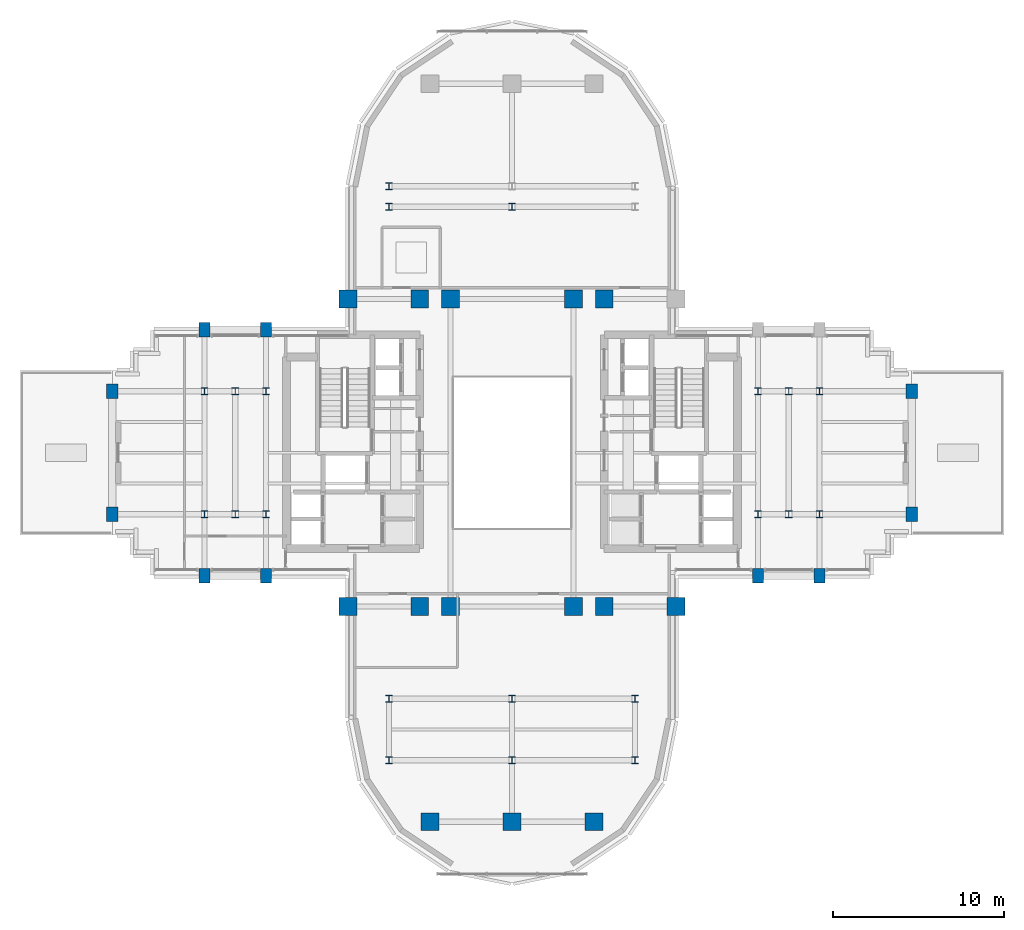
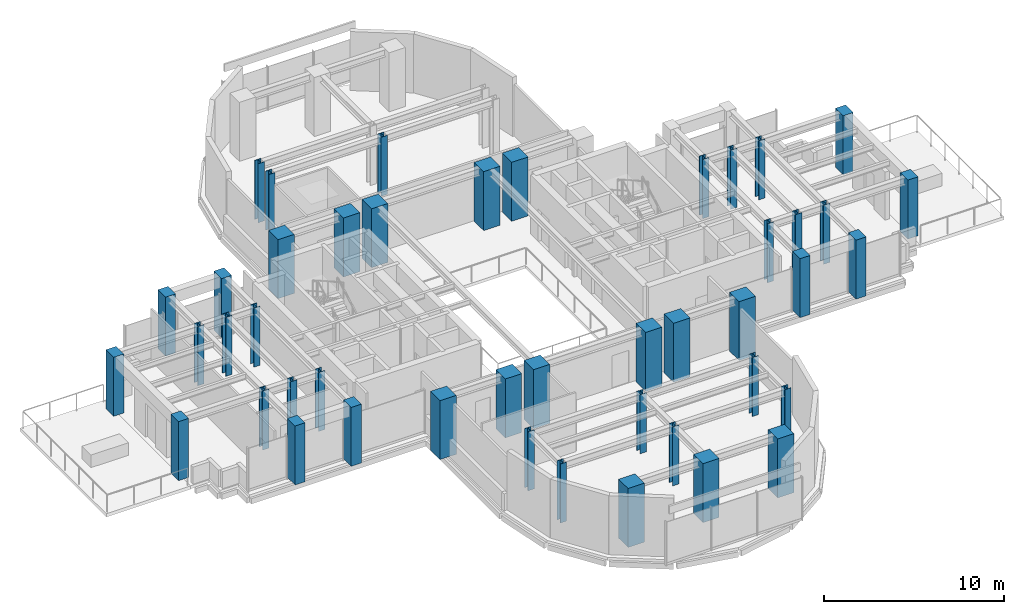
# One storey, part 1 of 16: 45 columns.
"""IFC4 building model written with IfcOpenShell, lengths in metres."""

from ifc_helpers import new_model, si_unit, direction, frame, origin, origin_2d, place, context, subcontext, project, spatial, rectangle, i_section, extrude, source, transform, mapped, material, material_profile, profile_set, type_object, element, save


model = new_model("IFC4")

# Units and contexts
model_context = context("Model", 3, precision=1e-05, world=origin(), true_north=direction((0.0, 1.0)))
body_context = subcontext(model_context, "Body", "Model", "MODEL_VIEW")
ifc_project = project(units=[si_unit("LENGTHUNIT", "METRE"), si_unit("AREAUNIT", "SQUARE_METRE"), si_unit("VOLUMEUNIT", "CUBIC_METRE"), si_unit("PLANEANGLEUNIT", "RADIAN"), si_unit("MASSUNIT", "GRAM", prefix="KILO")], contexts=[model_context])

# Site, building, storey
site_placement = place(None, origin())
site = spatial("IfcSite", under=ifc_project, at=site_placement, CompositionType="ELEMENT")
building_placement = place(site_placement, origin())
building = spatial("IfcBuilding", under=site, at=building_placement, Name="Keilestroom Media Tower", CompositionType="ELEMENT")
storey_placement = place(building_placement, frame((0.0, 0.0, 93.0)))
storey = spatial("IfcBuildingStorey", under=building, at=storey_placement, Name="L24", CompositionType="ELEMENT", Elevation=93.0)

# Columns
ifc_material_1 = material(Name="Precast concrete C40/50", Category="concrete")
ifc_material_profile_1 = material_profile(ifc_material_1, rectangle(XDim=0.64990234375, YDim=0.85009765625, at=origin_2d()), Name="PC 850x650")
ifc_profile_set_1 = profile_set([ifc_material_profile_1], Name="Precast concrete C40/50")
column_type_1 = type_object("IfcColumnType", Name="Structural-Column-PC-850x650", PredefinedType="COLUMN", material=ifc_profile_set_1)
shared_shape_1 = source(origin(), body_context, "Body", "SweptSolid", [
    extrude(rectangle(XDim=0.64990234375, YDim=0.85009765625, at=origin_2d()), origin(), (0.0, 0.0, 1.0), 4.0),
])
for number, where, z_axis, x_axis, name in (
    (1, (-23.39990234375, -3.60009765625, 0.0), (0.0, 0.0, 1.0), (1.0, 0.0, 0.0), "L24 Column PC-2 (-23.4,-3.6)"),
    (2, (-23.39990234375, 3.60009765625, 0.0), (0.0, 0.0, 1.0), (1.0, 0.0, 0.0), "L24 Column PC-2 (-23.4,+3.6)"),
    (3, (-18.0, -7.199951171875, 0.0), (0.0, 0.0, 1.0), (1.0, 0.0, 0.0), "L24 Column PC-2 (-18.0,-7.2)"),
    (4, (-18.0, 7.199951171875, 0.0), (0.0, 0.0, 1.0), (1.0, 0.0, 0.0), "L24 Column PC-2 (-18.0,+7.2)"),
    (5, (-14.39990234375, -7.199951171875, 0.0), (0.0, 0.0, 1.0), (1.0, 0.0, 0.0), "L24 Column PC-2 (-14.4,-7.2)"),
    (6, (-14.39990234375, 7.199951171875, 0.0), (0.0, 0.0, 1.0), (1.0, 0.0, 0.0), "L24 Column PC-2 (-14.4,+7.2)"),
    (7, (14.39990234375, -7.199951171875, 0.0), (0.0, 0.0, 1.0), (1.0, 0.0, 0.0), "L24 Column PC-2 (+14.4,-7.2)"),
    (8, (18.0, -7.199951171875, 0.0), (0.0, 0.0, 1.0), (1.0, 0.0, 0.0), "L24 Column PC-2 (+18.0,-7.2)"),
    (9, (23.39990234375, -3.60009765625, 0.0), (0.0, 0.0, 1.0), (1.0, 0.0, 0.0), "L24 Column PC-2 (+23.4,-3.6)"),
    (10, (23.39990234375, 3.60009765625, 0.0), (0.0, 0.0, 1.0), (1.0, 0.0, 0.0), "L24 Column PC-2 (+23.4,+3.6)"),
):
    element("IfcColumn", number, at=place(storey_placement, frame(where, z_axis=z_axis, x_axis=x_axis)), inside=storey, type_object=column_type_1, Name=name, PredefinedType="COLUMN", context=body_context, shape_type="MappedRepresentation", body=[
        mapped(shared_shape_1, transform((0.0, 0.0, 0.0), x_axis=(1.0, 0.0, 0.0), y_axis=(0.0, 1.0, 0.0), z_axis=(0.0, 0.0, 1.0), scale=1.0)),
    ])
ifc_material_2 = material(Name="Steel S355", Category="steel")
ifc_material_profile_2 = material_profile(ifc_material_2, i_section(OverallWidth=0.40087890625, OverallDepth=0.39892578125, WebThickness=0.02001953125, FlangeThickness=0.031982421875, at=origin_2d()), Name="HD 400x314")
ifc_profile_set_2 = profile_set([ifc_material_profile_2], Name="Steel S355")
column_type_2 = type_object("IfcColumnType", Name="Structural-Column-HD-400x314", PredefinedType="COLUMN", material=ifc_profile_set_2)
shared_shape_2 = source(origin(), body_context, "Body", "SweptSolid", [
    extrude(i_section(OverallWidth=0.40087890625, OverallDepth=0.39892578125, WebThickness=0.02001953125, FlangeThickness=0.031982421875, at=origin_2d()), origin(), (0.0, 0.0, 1.0), 4.0),
])
for number, where, z_axis, x_axis, name in (
    (11, (-18.0, -3.60009765625, 0.0), (0.0, 0.0, 1.0), (1.0, 0.0, 0.0), "L24 Column SC-3 (-18.0,-3.6)"),
    (12, (-18.0, 3.60009765625, 0.0), (0.0, 0.0, 1.0), (1.0, 0.0, 0.0), "L24 Column SC-3 (-18.0,+3.6)"),
    (13, (-16.199951171875, -3.60009765625, 0.0), (0.0, 0.0, 1.0), (1.0, 0.0, 0.0), "L24 Column SC-3 (-16.2,-3.6)"),
    (14, (-16.199951171875, 3.60009765625, 0.0), (0.0, 0.0, 1.0), (1.0, 0.0, 0.0), "L24 Column SC-3 (-16.2,+3.6)"),
    (15, (-14.39990234375, -3.60009765625, 0.0), (0.0, 0.0, 1.0), (1.0, 0.0, 0.0), "L24 Column SC-3 (-14.4,-3.6)"),
    (16, (-14.39990234375, 3.60009765625, 0.0), (0.0, 0.0, 1.0), (1.0, 0.0, 0.0), "L24 Column SC-3 (-14.4,+3.6)"),
    (17, (-7.199951171875, -18.0, 0.0), (0.0, 0.0, 1.0), (1.0, 0.0, 0.0), "L24 Column SC-3 (-7.2,-18.0)"),
    (18, (-7.199951171875, -14.39990234375, 0.0), (0.0, 0.0, 1.0), (1.0, 0.0, 0.0), "L24 Column SC-3 (-7.2,-14.4)"),
    (19, (-7.199951171875, 14.39990234375, 0.0), (0.0, 0.0, 1.0), (1.0, 0.0, 0.0), "L24 Column SC-3 (-7.2,+14.4)"),
    (20, (-7.199951171875, 15.60009765625, 0.0), (0.0, 0.0, 1.0), (1.0, 0.0, 0.0), "L24 Column SC-3 (-7.2,+15.6)"),
    (21, (0.0, -18.0, 0.0), (0.0, 0.0, 1.0), (1.0, 0.0, 0.0), "L24 Column SC-3 (+0.0,-18.0)"),
    (22, (0.0, -14.39990234375, 0.0), (0.0, 0.0, 1.0), (1.0, 0.0, 0.0), "L24 Column SC-3 (+0.0,-14.4)"),
    (23, (0.0, 14.39990234375, 0.0), (0.0, 0.0, 1.0), (1.0, 0.0, 0.0), "L24 Column SC-3 (+0.0,+14.4)"),
    (24, (7.199951171875, -18.0, 0.0), (0.0, 0.0, 1.0), (1.0, 0.0, 0.0), "L24 Column SC-3 (+7.2,-18.0)"),
    (25, (7.199951171875, -14.39990234375, 0.0), (0.0, 0.0, 1.0), (1.0, 0.0, 0.0), "L24 Column SC-3 (+7.2,-14.4)"),
    (26, (14.39990234375, -3.60009765625, 0.0), (0.0, 0.0, 1.0), (1.0, 0.0, 0.0), "L24 Column SC-3 (+14.4,-3.6)"),
    (27, (14.39990234375, 3.60009765625, 0.0), (0.0, 0.0, 1.0), (1.0, 0.0, 0.0), "L24 Column SC-3 (+14.4,+3.6)"),
    (28, (16.199951171875, -3.60009765625, 0.0), (0.0, 0.0, 1.0), (1.0, 0.0, 0.0), "L24 Column SC-3 (+16.2,-3.6)"),
    (29, (16.199951171875, 3.60009765625, 0.0), (0.0, 0.0, 1.0), (1.0, 0.0, 0.0), "L24 Column SC-3 (+16.2,+3.6)"),
    (30, (18.0, -3.60009765625, 0.0), (0.0, 0.0, 1.0), (1.0, 0.0, 0.0), "L24 Column SC-3 (+18.0,-3.6)"),
    (31, (18.0, 3.60009765625, 0.0), (0.0, 0.0, 1.0), (1.0, 0.0, 0.0), "L24 Column SC-3 (+18.0,+3.6)"),
):
    element("IfcColumn", number, at=place(storey_placement, frame(where, z_axis=z_axis, x_axis=x_axis)), inside=storey, type_object=column_type_2, Name=name, PredefinedType="COLUMN", context=body_context, shape_type="MappedRepresentation", body=[
        mapped(shared_shape_2, transform((0.0, 0.0, 0.0), x_axis=(1.0, 0.0, 0.0), y_axis=(0.0, 1.0, 0.0), z_axis=(0.0, 0.0, 1.0), scale=1.0)),
    ])
ifc_material_3 = material(Name="Concrete C55/67", Category="concrete")
ifc_material_profile_3 = material_profile(ifc_material_3, rectangle(XDim=1.050048828125, YDim=1.050048828125, at=origin_2d()), Name="RC 1050x1050")
ifc_profile_set_3 = profile_set([ifc_material_profile_3], Name="Concrete C55/67")
column_type_3 = type_object("IfcColumnType", Name="Structural-Column-RC-1050x1050", PredefinedType="COLUMN", material=ifc_profile_set_3)
shared_shape_3 = source(origin(), body_context, "Body", "SweptSolid", [
    extrude(rectangle(XDim=1.050048828125, YDim=1.050048828125, at=origin_2d()), origin(), (0.0, 0.0, 1.0), 4.0),
])
for number, where, z_axis, x_axis, name in (
    (32, (-9.60009765625, -9.0, 0.0), (0.0, 0.0, 1.0), (1.0, 0.0, 0.0), "L24 Column MC-3 (-9.6,-9.0)"),
    (33, (-9.60009765625, 9.0, 0.0), (0.0, 0.0, 1.0), (1.0, 0.0, 0.0), "L24 Column MC-3 (-9.6,+9.0)"),
    (34, (-5.39990234375, -9.0, 0.0), (0.0, 0.0, 1.0), (1.0, 0.0, 0.0), "L24 Column MC-3 (-5.4,-9.0)"),
    (35, (-5.39990234375, 9.0, 0.0), (0.0, 0.0, 1.0), (1.0, 0.0, 0.0), "L24 Column MC-3 (-5.4,+9.0)"),
    (36, (-4.800048828125, -21.60009765625, 0.0), (0.0, 0.0, 1.0), (1.0, 0.0, 0.0), "L24 Column MC-3 (-4.8,-21.6)"),
    (37, (-3.60009765625, -9.0, 0.0), (0.0, 0.0, 1.0), (1.0, 0.0, 0.0), "L24 Column MC-3 (-3.6,-9.0)"),
    (38, (-3.60009765625, 9.0, 0.0), (0.0, 0.0, 1.0), (1.0, 0.0, 0.0), "L24 Column MC-3 (-3.6,+9.0)"),
    (39, (0.0, -21.60009765625, 0.0), (0.0, 0.0, 1.0), (1.0, 0.0, 0.0), "L24 Column MC-3 (+0.0,-21.6)"),
    (40, (3.60009765625, -9.0, 0.0), (0.0, 0.0, 1.0), (1.0, 0.0, 0.0), "L24 Column MC-3 (+3.6,-9.0)"),
    (41, (3.60009765625, 9.0, 0.0), (0.0, 0.0, 1.0), (1.0, 0.0, 0.0), "L24 Column MC-3 (+3.6,+9.0)"),
    (42, (4.800048828125, -21.60009765625, 0.0), (0.0, 0.0, 1.0), (1.0, 0.0, 0.0), "L24 Column MC-3 (+4.8,-21.6)"),
    (43, (5.39990234375, -9.0, 0.0), (0.0, 0.0, 1.0), (1.0, 0.0, 0.0), "L24 Column MC-3 (+5.4,-9.0)"),
    (44, (5.39990234375, 9.0, 0.0), (0.0, 0.0, 1.0), (1.0, 0.0, 0.0), "L24 Column MC-3 (+5.4,+9.0)"),
    (45, (9.60009765625, -9.0, 0.0), (0.0, 0.0, 1.0), (1.0, 0.0, 0.0), "L24 Column MC-3 (+9.6,-9.0)"),
):
    element("IfcColumn", number, at=place(storey_placement, frame(where, z_axis=z_axis, x_axis=x_axis)), inside=storey, type_object=column_type_3, Name=name, PredefinedType="COLUMN", context=body_context, shape_type="MappedRepresentation", body=[
        mapped(shared_shape_3, transform((0.0, 0.0, 0.0), x_axis=(1.0, 0.0, 0.0), y_axis=(0.0, 1.0, 0.0), z_axis=(0.0, 0.0, 1.0), scale=1.0)),
    ])

save(model, "model.ifc")
